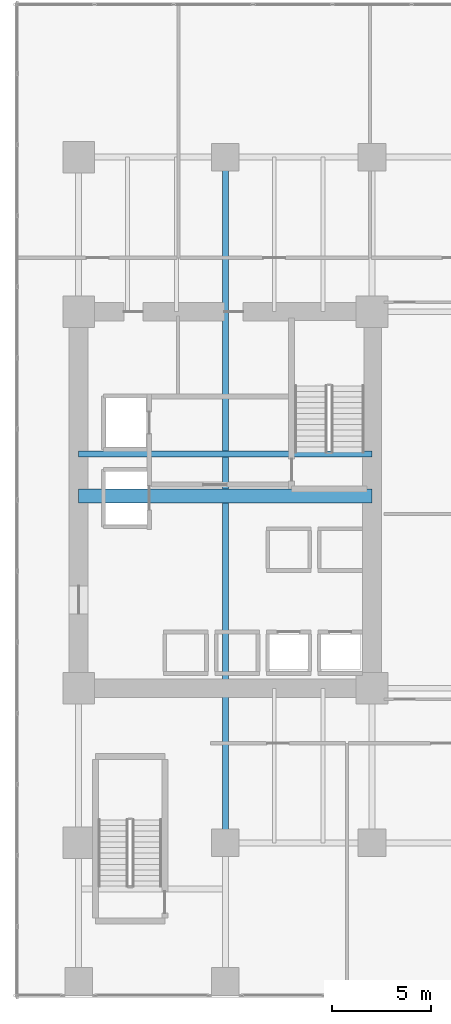
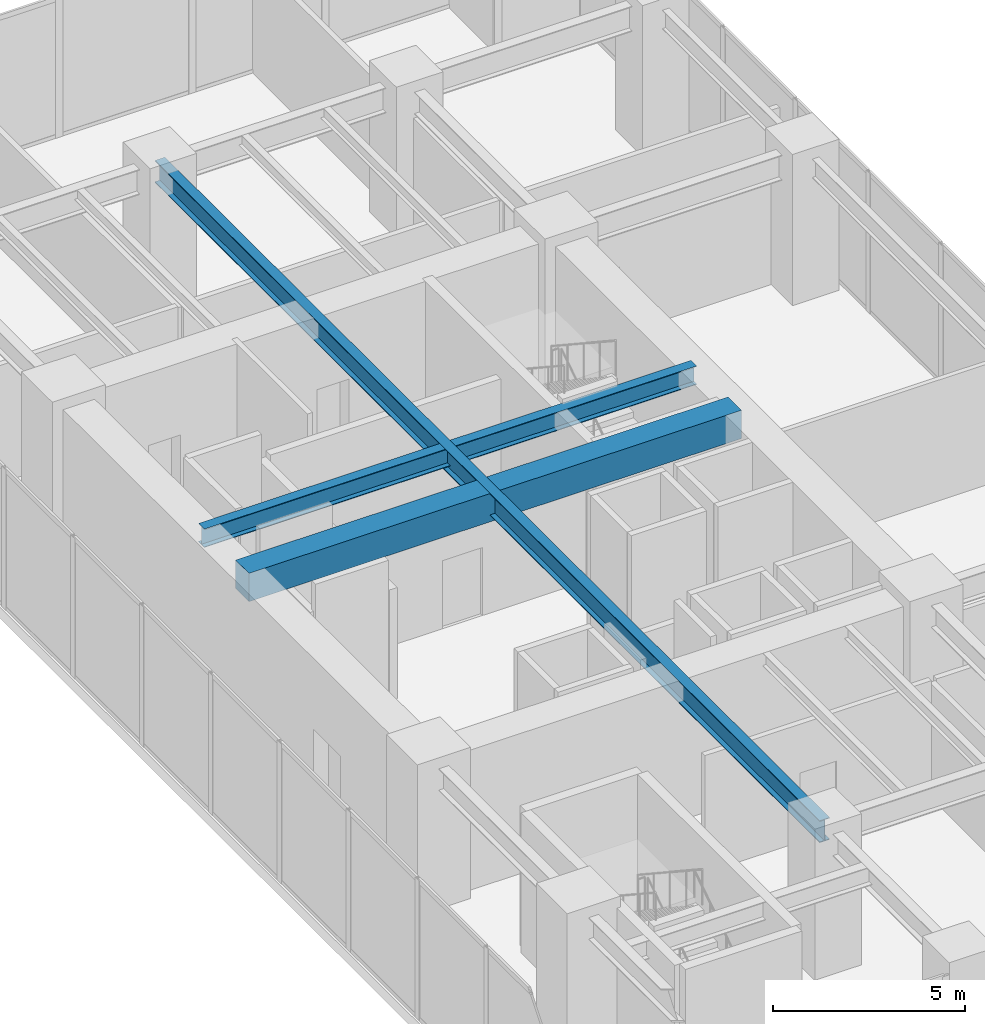
# One storey, part 11 of 32: 3 beams.
"""IFC4 building model written with IfcOpenShell, lengths in metres."""

from ifc_helpers import new_model, si_unit, direction, frame, origin, origin_2d, place, context, subcontext, project, spatial, rectangle, i_section, extrude, source, transform, mapped, material, material_profile, profile_set, type_object, type_shapes, element, save


model = new_model("IFC4")

# Units and contexts
model_context = context("Model", 3, precision=1e-05, world=origin(), true_north=direction((0.0, 1.0)))
body_context = subcontext(model_context, "Body", "Model", "MODEL_VIEW")
ifc_project = project(units=[si_unit("LENGTHUNIT", "METRE"), si_unit("AREAUNIT", "SQUARE_METRE"), si_unit("VOLUMEUNIT", "CUBIC_METRE"), si_unit("PLANEANGLEUNIT", "RADIAN"), si_unit("MASSUNIT", "GRAM", prefix="KILO")], contexts=[model_context])

# Site, building, storey
site_placement = place(None, origin())
site = spatial("IfcSite", under=ifc_project, at=site_placement, CompositionType="ELEMENT")
building_placement = place(site_placement, origin())
building = spatial("IfcBuilding", under=site, at=building_placement, Name="Haelvirn Gate Laboratories", CompositionType="ELEMENT")
storey_placement = place(building_placement, frame((0.0, 0.0, 5.39990234375)))
storey = spatial("IfcBuildingStorey", under=building, at=storey_placement, Name="L02", CompositionType="ELEMENT", Elevation=5.39990234375)

# Beams
ifc_material_1 = material(Name="Concrete C60/75", Category="concrete")
ifc_material_profile_1 = material_profile(ifc_material_1, rectangle(XDim=0.699951171875, YDim=0.89990234375, at=origin_2d()), Name="RCB-700x900")
ifc_profile_set_1 = profile_set([ifc_material_profile_1], Name="Concrete C60/75")
beam_type_1 = type_object("IfcBeamType", Name="BM-RCB-900", PredefinedType="LINTEL", material=ifc_profile_set_1)
shared_shape_1 = source(origin(), body_context, "Body", "SweptSolid", [
    extrude(rectangle(XDim=0.699951171875, YDim=0.89990234375, at=origin_2d()), origin(), (0.0, 0.0, 1.0), 14.7998046875),
])
type_shapes(beam_type_1, [shared_shape_1])
beam_1_placement = place(storey_placement, frame((52.60009765625, 24.5, 4.0), z_axis=(1.0, 0.0, 0.0), x_axis=(0.0, 1.0, 0.0)))
element("IfcBeam", 1, at=beam_1_placement, inside=storey, type_object=beam_type_1, Name="L02 East Core Coupling Beam", PredefinedType="LINTEL", context=body_context, shape_type="MappedRepresentation", body=[
    mapped(shared_shape_1, transform((0.0, 0.0, 0.0), scale=1.0)),
])
ifc_material_2 = material(Name="Steel SM355", Category="steel")
ifc_material_profile_2 = material_profile(ifc_material_2, i_section(OverallWidth=0.300048828125, OverallDepth=0.587890625, WebThickness=0.011962890625, FlangeThickness=0.02001953125, at=origin_2d()), Name="H-588x300x12x20")
ifc_profile_set_2 = profile_set([ifc_material_profile_2], Name="Steel SM355")
beam_type_2 = type_object("IfcBeamType", Name="BM-G-588", PredefinedType="BEAM", material=ifc_profile_set_2)
shared_shape_2 = source(origin(), body_context, "Body", "SweptSolid", [
    extrude(i_section(OverallWidth=0.300048828125, OverallDepth=0.587890625, WebThickness=0.011962890625, FlangeThickness=0.02001953125, at=origin_2d()), origin(), (0.0, 0.0, 1.0), 14.7998046875),
])
type_shapes(beam_type_2, [shared_shape_2])
beam_2_placement = place(storey_placement, frame((52.60009765625, 26.6201171875, 4.156005859375), z_axis=(1.0, 0.0, 0.0), x_axis=(0.0, 1.0, 0.0)))
element("IfcBeam", 2, at=beam_2_placement, inside=storey, type_object=beam_type_2, Name="L02 Stair ST2 Landing Header", PredefinedType="BEAM", context=body_context, shape_type="MappedRepresentation", body=[
    mapped(shared_shape_2, transform((0.0, 0.0, 0.0), scale=1.0)),
])
ifc_material_profile_3 = material_profile(ifc_material_2, i_section(OverallWidth=0.300048828125, OverallDepth=0.699951171875, WebThickness=0.012939453125, FlangeThickness=0.02392578125, at=origin_2d()), Name="H-700x300x13x24")
ifc_profile_set_3 = profile_set([ifc_material_profile_3], Name="Steel SM355")
beam_type_3 = type_object("IfcBeamType", Name="BM-G-700", PredefinedType="BEAM", material=ifc_profile_set_3)
shared_shape_3 = source(origin(), body_context, "Body", "SweptSolid", [
    extrude(i_section(OverallWidth=0.300048828125, OverallDepth=0.699951171875, WebThickness=0.012939453125, FlangeThickness=0.02392578125, at=origin_2d()), origin(), (0.0, 0.0, 1.0), 34.60009765625),
])
type_shapes(beam_type_3, [shared_shape_3])
beam_3_placement = place(storey_placement, frame((60.0, 7.0, 4.10009765625), z_axis=(0.0, 1.0, 0.0), x_axis=(-1.0, 0.0, 0.0)))
element("IfcBeam", 3, at=beam_3_placement, inside=storey, type_object=beam_type_3, Name="L02 Frame Girder X60.0 (7.0-41.6)", PredefinedType="BEAM", context=body_context, shape_type="MappedRepresentation", body=[
    mapped(shared_shape_3, transform((0.0, 0.0, 0.0), scale=1.0)),
])

save(model, "model.ifc")
